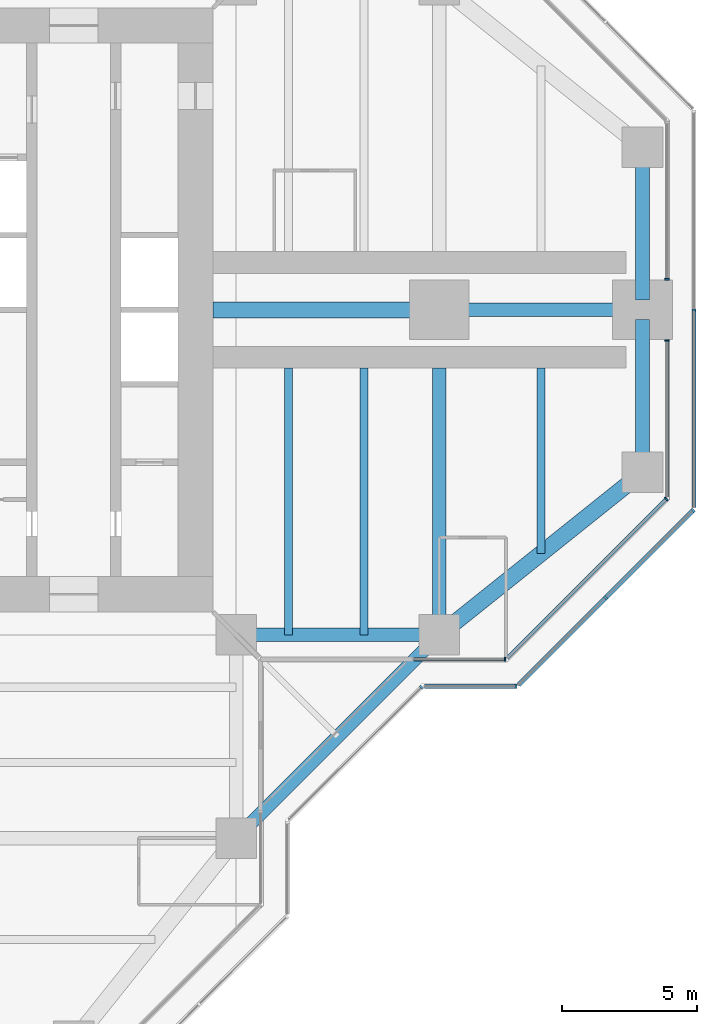
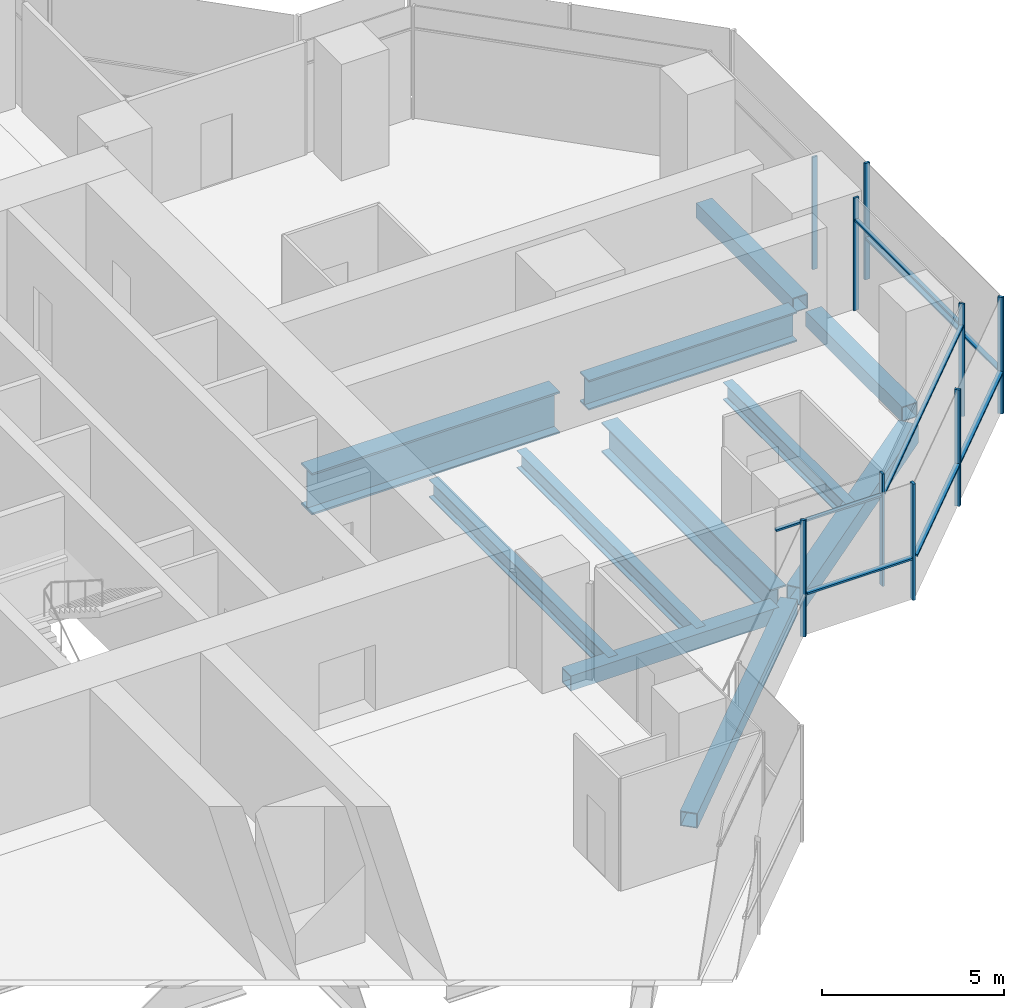
# One storey, part 5 of 17: 16 members, 11 beams, 8 elements without a shape of their own.
"""IFC4 building model written with IfcOpenShell, lengths in metres."""

from ifc_helpers import new_model, si_unit, direction, frame, origin, origin_2d, place, context, subcontext, project, spatial, rectangle, hollow_rectangle, i_section, extrude, material, material_profile, profile_set, type_object, element, aggregate, save


model = new_model("IFC4")

# Units and contexts
model_context = context("Model", 3, precision=1e-05, world=origin(), true_north=direction((0.0, 1.0)))
body_context = subcontext(model_context, "Body", "Model", "MODEL_VIEW")
ifc_project = project(units=[si_unit("LENGTHUNIT", "METRE"), si_unit("AREAUNIT", "SQUARE_METRE"), si_unit("VOLUMEUNIT", "CUBIC_METRE"), si_unit("PLANEANGLEUNIT", "RADIAN"), si_unit("MASSUNIT", "GRAM", prefix="KILO")], contexts=[model_context])

# Site, building, storey
site_placement = place(None, origin())
site = spatial("IfcSite", under=ifc_project, at=site_placement, CompositionType="ELEMENT")
building_placement = place(site_placement, origin())
building = spatial("IfcBuilding", under=site, at=building_placement, Name="Mizan Broadcast Tower", CompositionType="ELEMENT")
storey_placement = place(building_placement, frame((0.0, 0.0, 263.39990234375)))
storey = spatial("IfcBuildingStorey", under=building, at=storey_placement, Name="L62", CompositionType="ELEMENT", Elevation=263.39990234375)

# Beams
ifc_material_1 = material(Name="Steel S355", Category="steel")
ifc_material_profile_1 = material_profile(ifc_material_1, hollow_rectangle(XDim=0.5, YDim=0.5, WallThickness=0.030029296875, at=origin_2d()), Name="BOX 500x500x30")
ifc_profile_set_1 = profile_set([ifc_material_profile_1], Name="Steel S355")
beam_type_1 = type_object("IfcBeamType", Name="EDGE BEAM BOX 500x500x30", PredefinedType="SPANDREL", material=ifc_profile_set_1)
beam_1_placement = place(storey_placement, frame((12.449951171875, -12.0, -0.3798828125), z_axis=(1.0, 0.0, 0.0), x_axis=(0.0, 1.0, 0.0)))
element("IfcBeam", 1, at=beam_1_placement, inside=storey, type_object=beam_type_1, Name="Edge beam BOX 500x500x30 L62 east arm", PredefinedType="SPANDREL", context=body_context, shape_type="SweptSolid", body=[
    extrude(hollow_rectangle(XDim=0.5, YDim=0.5, WallThickness=0.030029296875, at=origin_2d()), origin(), (0.0, 0.0, 1.0), 6.60009765625),
])
for number, where, z_axis, x_axis, name in (
    (2, (27.0, -5.639892578125, -0.3798828125), (0.0, 1.0, 0.0), (-1.0, 0.0, 0.0), "Edge beam BOX 500x500x30 L62 east arm"),
    (3, (27.0, 5.639892578125, -0.3798828125), (0.0, -1.0, 0.0), (1.0, 0.0, 0.0), "Edge beam BOX 500x500x30 L62 east arm"),
):
    element("IfcBeam", number, at=place(storey_placement, frame(where, z_axis=z_axis, x_axis=x_axis)), inside=storey, type_object=beam_type_1, Name=name, PredefinedType="SPANDREL", context=body_context, shape_type="SweptSolid", body=[
        extrude(hollow_rectangle(XDim=0.5, YDim=0.5, WallThickness=0.030029296875, at=origin_2d()), origin(), (0.0, 0.0, 1.0), 5.27978515625),
    ])
beam_2_placement = place(storey_placement, frame((12.0, -19.5, -0.3798828125), z_axis=(0.707106781187, 0.707106781187, 0.0), x_axis=(-0.707106781187, 0.707106781187, 0.0)))
element("IfcBeam", 4, at=beam_2_placement, inside=storey, type_object=beam_type_1, Name="Winter garden edge beam L62 S", PredefinedType="SPANDREL", context=body_context, shape_type="SweptSolid", body=[
    extrude(hollow_rectangle(XDim=0.5, YDim=0.5, WallThickness=0.030029296875, at=origin_2d()), origin(), (0.0, 0.0, 1.0), 10.606689453125),
])
ifc_material_2 = material(Name="Steel S355", Category="steel")
ifc_material_profile_2 = material_profile(ifc_material_2, hollow_rectangle(XDim=0.60009765625, YDim=0.60009765625, WallThickness=0.030029296875, at=origin_2d()), Name="BOX 600x600x30")
ifc_profile_set_2 = profile_set([ifc_material_profile_2], Name="Steel S355")
beam_type_2 = type_object("IfcBeamType", Name="EDGE BEAM BOX 600x600x30", PredefinedType="SPANDREL", material=ifc_profile_set_2)
beam_3_placement = place(storey_placement, frame((19.949951171875, -11.639892578125, -0.429931640625), z_axis=(0.780885717636, 0.624673911726, 0.0), x_axis=(-0.624673911726, 0.780885717636, 0.0)))
element("IfcBeam", 5, at=beam_3_placement, inside=storey, type_object=beam_type_2, Name="Edge beam BOX 600x600x30 L62 east arm", PredefinedType="SPANDREL", context=body_context, shape_type="SweptSolid", body=[
    extrude(hollow_rectangle(XDim=0.60009765625, YDim=0.60009765625, WallThickness=0.030029296875, at=origin_2d()), origin(), (0.0, 0.0, 1.0), 8.4521484375),
])
ifc_material_3 = material(Name="Steel S460", Category="steel")
ifc_material_profile_3 = material_profile(ifc_material_3, i_section(OverallWidth=0.5, OverallDepth=1.0, WebThickness=0.02490234375, FlangeThickness=0.050048828125, at=origin_2d()), Name="WPG 1000x500")
ifc_profile_set_3 = profile_set([ifc_material_profile_3], Name="Steel S460")
beam_type_3 = type_object("IfcBeamType", Name="GIRDER WPG 1000x500", PredefinedType="BEAM", material=ifc_profile_set_3)
beam_4_placement = place(storey_placement, frame((19.949951171875, 0.0, -0.6298828125), z_axis=(1.0, 0.0, 0.0), x_axis=(0.0, 1.0, 0.0)))
element("IfcBeam", 6, at=beam_4_placement, inside=storey, type_object=beam_type_3, Name="Girder WPG 1000x500 L62 east arm", PredefinedType="BEAM", context=body_context, shape_type="SweptSolid", body=[
    extrude(i_section(OverallWidth=0.5, OverallDepth=1.0, WebThickness=0.02490234375, FlangeThickness=0.050048828125, at=origin_2d()), origin(), (0.0, 0.0, 1.0), 6.60009765625),
])
beam_5_placement = place(storey_placement, frame((19.5, -11.408935546875, -0.6298828125), z_axis=(0.0, 1.0, 0.0), x_axis=(-1.0, 0.0, 0.0)))
element("IfcBeam", 7, at=beam_5_placement, inside=storey, type_object=beam_type_3, Name="Girder WPG 1000x500 L62 east arm", PredefinedType="BEAM", context=body_context, shape_type="SweptSolid", body=[
    extrude(i_section(OverallWidth=0.5, OverallDepth=1.0, WebThickness=0.02490234375, FlangeThickness=0.050048828125, at=origin_2d()), origin(), (0.0, 0.0, 1.0), 9.259033203125),
])
ifc_material_4 = material(Name="Steel S460", Category="steel")
ifc_material_profile_4 = material_profile(ifc_material_4, i_section(OverallWidth=0.60009765625, OverallDepth=1.39990234375, WebThickness=0.02490234375, FlangeThickness=0.06005859375, at=origin_2d()), Name="WPG 1400x600")
ifc_profile_set_4 = profile_set([ifc_material_profile_4], Name="Steel S460")
beam_type_4 = type_object("IfcBeamType", Name="GIRDER WPG 1400x600", PredefinedType="BEAM", material=ifc_profile_set_4)
beam_6_placement = place(storey_placement, frame((11.14990234375, 0.0, -0.829833984375), z_axis=(1.0, 0.0, 0.0), x_axis=(0.0, 1.0, 0.0)))
element("IfcBeam", 8, at=beam_6_placement, inside=storey, type_object=beam_type_4, Name="Girder WPG 1400x600 L62 east arm", PredefinedType="BEAM", context=body_context, shape_type="SweptSolid", body=[
    extrude(i_section(OverallWidth=0.60009765625, OverallDepth=1.39990234375, WebThickness=0.02490234375, FlangeThickness=0.06005859375, at=origin_2d()), origin(), (0.0, 0.0, 1.0), 7.84912109375),
])

# Curtain wall, member
ifc_material_5 = material(Name="Aluminium framed glazing", Category="aluminium")
curtain_wall_type_1 = type_object("IfcCurtainWallType", Name="INNER SKIN HIGH ZONE", PredefinedType="USERDEFINED", material=ifc_material_5)
curtain_wall_1_placement = place(storey_placement, origin())
curtain_wall_1 = element("IfcCurtainWall", 9, at=curtain_wall_1_placement, inside=storey, type_object=curtain_wall_type_1, Name="Inner skin high zone L62 E side", ObjectType="INNER SKIN HIGH ZONE", PredefinedType="USERDEFINED")
ifc_material_6 = material(Name="Aluminium, pale anodised", Category="aluminium")
ifc_material_profile_5 = material_profile(ifc_material_6, rectangle(XDim=0.159912109375, YDim=0.06005859375, at=origin_2d()), Name="MULLION 160x60")
ifc_profile_set_5 = profile_set([ifc_material_profile_5], Name="Aluminium, pale anodised")
member_type_1 = type_object("IfcMemberType", Name="INNER SKIN MULLION 60x160", PredefinedType="MULLION", material=ifc_profile_set_5)
member_1_placement = place(storey_placement, frame((21.928466796875, -12.89990234375, 0.0), z_axis=(0.0, 0.0, 1.0), x_axis=(0.0, 1.0, 0.0)))
member_1 = element("IfcMember", 10, at=member_1_placement, type_object=member_type_1, Name="Inner skin high zone L62 E side mullion 2", PredefinedType="MULLION", context=body_context, shape_type="SweptSolid", body=[
    extrude(rectangle(XDim=0.159912109375, YDim=0.06005859375, at=origin_2d()), origin(), (0.0, 0.0, 1.0), 3.77001953125),
])

curtain_wall_2_placement = place(storey_placement, origin())
curtain_wall_2 = element("IfcCurtainWall", 11, at=curtain_wall_2_placement, inside=storey, type_object=curtain_wall_type_1, Name="Inner skin high zone L62 E chamfer", ObjectType="INNER SKIN HIGH ZONE", PredefinedType="USERDEFINED")
member_2_placement = place(storey_placement, frame((27.87890625, -6.979736328125, 0.0), z_axis=(0.0, 0.0, 1.0), x_axis=(-0.707106781187, 0.707106781187, 0.0)))
member_2 = element("IfcMember", 12, at=member_2_placement, type_object=member_type_1, Name="Inner skin high zone L62 E chamfer mullion 2", PredefinedType="MULLION", context=body_context, shape_type="SweptSolid", body=[
    extrude(rectangle(XDim=0.159912109375, YDim=0.06005859375, at=origin_2d()), origin(), (0.0, 0.0, 1.0), 3.77001953125),
])

curtain_wall_3_placement = place(storey_placement, origin())
curtain_wall_3 = element("IfcCurtainWall", 13, at=curtain_wall_3_placement, inside=storey, type_object=curtain_wall_type_1, Name="Inner skin high zone L62 E end", ObjectType="INNER SKIN HIGH ZONE", PredefinedType="USERDEFINED")
member_3_placement = place(storey_placement, frame((27.89990234375, -1.1298828125, 0.0), z_axis=(0.0, 0.0, 1.0), x_axis=(-1.0, 0.0, 0.0)))
member_3 = element("IfcMember", 14, at=member_3_placement, type_object=member_type_1, Name="Inner skin high zone L62 E end mullion 2", PredefinedType="MULLION", context=body_context, shape_type="SweptSolid", body=[
    extrude(rectangle(XDim=0.159912109375, YDim=0.06005859375, at=origin_2d()), origin(), (0.0, 0.0, 1.0), 3.77001953125),
])

curtain_wall_4_placement = place(storey_placement, origin())
curtain_wall_4 = element("IfcCurtainWall", 15, at=curtain_wall_4_placement, inside=storey, type_object=curtain_wall_type_1, Name="Inner skin high zone L62 E end", ObjectType="INNER SKIN HIGH ZONE", PredefinedType="USERDEFINED")
member_4_placement = place(storey_placement, frame((27.89990234375, 1.1298828125, 0.0), z_axis=(0.0, 0.0, 1.0), x_axis=(-1.0, 0.0, 0.0)))
member_4 = element("IfcMember", 16, at=member_4_placement, type_object=member_type_1, Name="Inner skin high zone L62 E end mullion 1", PredefinedType="MULLION", context=body_context, shape_type="SweptSolid", body=[
    extrude(rectangle(XDim=0.159912109375, YDim=0.06005859375, at=origin_2d()), origin(), (0.0, 0.0, 1.0), 3.77001953125),
])
aggregate(curtain_wall_4, [member_4])

# Member
ifc_material_7 = material(Name="Aluminium, pale anodised", Category="aluminium")
ifc_material_profile_6 = material_profile(ifc_material_7, rectangle(XDim=0.1201171875, YDim=0.06005859375, at=origin_2d()), Name="TRANSOM 120x60")
ifc_profile_set_6 = profile_set([ifc_material_profile_6], Name="Aluminium, pale anodised")
member_type_2 = type_object("IfcMemberType", Name="INNER SKIN TRANSOM 60x120", PredefinedType="USERDEFINED", material=ifc_profile_set_6)
member_5_placement = place(storey_placement, frame((18.56005859375, -12.89990234375, 3.030029296875), z_axis=(1.0, 0.0, 0.0), x_axis=(0.0, 1.0, 0.0)))
member_5 = element("IfcMember", 17, at=member_5_placement, type_object=member_type_2, Name="Inner skin high zone L62 E side transom 1.1", ObjectType="TRANSOM", PredefinedType="USERDEFINED", context=body_context, shape_type="SweptSolid", body=[
    extrude(rectangle(XDim=0.1201171875, YDim=0.06005859375, at=origin_2d()), origin(), (0.0, 0.0, 1.0), 3.338623046875),
])

aggregate(curtain_wall_1, [member_1, member_5])

member_6_placement = place(storey_placement, frame((22.0009765625, -12.857666015625, 3.030029296875), z_axis=(0.707106781187, 0.707106781187, 0.0), x_axis=(-0.707106781187, 0.707106781187, 0.0)))
member_6 = element("IfcMember", 18, at=member_6_placement, type_object=member_type_2, Name="Inner skin high zone L62 E chamfer transom 1.1", ObjectType="TRANSOM", PredefinedType="USERDEFINED", context=body_context, shape_type="SweptSolid", body=[
    extrude(rectangle(XDim=0.1201171875, YDim=0.06005859375, at=origin_2d()), origin(), (0.0, 0.0, 1.0), 8.28271484375),
])

aggregate(curtain_wall_2, [member_2, member_6])

member_7_placement = place(storey_placement, frame((27.89990234375, -6.898681640625, 3.030029296875), z_axis=(0.0, 1.0, 0.0), x_axis=(-1.0, 0.0, 0.0)))
member_7 = element("IfcMember", 19, at=member_7_placement, type_object=member_type_2, Name="Inner skin high zone L62 E end transom 1.1", ObjectType="TRANSOM", PredefinedType="USERDEFINED", context=body_context, shape_type="SweptSolid", body=[
    extrude(rectangle(XDim=0.1201171875, YDim=0.06005859375, at=origin_2d()), origin(), (0.0, 0.0, 1.0), 5.73876953125),
])

aggregate(curtain_wall_3, [member_3, member_7])

# Curtain wall, members
ifc_material_8 = material(Name="Aluminium framed glazing", Category="aluminium")
curtain_wall_type_2 = type_object("IfcCurtainWallType", Name="OUTER SKIN", PredefinedType="USERDEFINED", material=ifc_material_8)
curtain_wall_5_placement = place(storey_placement, origin())
curtain_wall_5 = element("IfcCurtainWall", 20, at=curtain_wall_5_placement, inside=storey, type_object=curtain_wall_type_2, Name="Outer skin L62 E chamfer", ObjectType="OUTER SKIN", PredefinedType="USERDEFINED")
ifc_material_9 = material(Name="Aluminium, pale anodised", Category="aluminium")
ifc_material_profile_7 = material_profile(ifc_material_9, rectangle(XDim=0.159912109375, YDim=0.080078125, at=origin_2d()), Name="MULLION 160x80")
ifc_profile_set_7 = profile_set([ifc_material_profile_7], Name="Aluminium, pale anodised")
member_type_3 = type_object("IfcMemberType", Name="OUTER SKIN MULLION 80x160", PredefinedType="MULLION", material=ifc_profile_set_7)
member_8_placement = place(storey_placement, frame((25.636474609375, -10.636474609375, 0.0), z_axis=(0.0, 0.0, 1.0), x_axis=(-0.707106781187, 0.707106781187, 0.0)))
member_8 = element("IfcMember", 21, at=member_8_placement, type_object=member_type_3, Name="Outer skin L62 E chamfer mullion 2", PredefinedType="MULLION", context=body_context, shape_type="SweptSolid", body=[
    extrude(rectangle(XDim=0.159912109375, YDim=0.080078125, at=origin_2d()), origin(), (0.0, 0.0, 1.0), 3.900146484375),
])
member_9_placement = place(storey_placement, frame((28.871826171875, -7.401123046875, 0.0), z_axis=(0.0, 0.0, 1.0), x_axis=(-0.707106781187, 0.707106781187, 0.0)))
member_9 = element("IfcMember", 22, at=member_9_placement, type_object=member_type_3, Name="Outer skin L62 E chamfer mullion 3", PredefinedType="MULLION", context=body_context, shape_type="SweptSolid", body=[
    extrude(rectangle(XDim=0.159912109375, YDim=0.080078125, at=origin_2d()), origin(), (0.0, 0.0, 1.0), 3.900146484375),
])

# Curtain wall, member
curtain_wall_6_placement = place(storey_placement, origin())
curtain_wall_6 = element("IfcCurtainWall", 23, at=curtain_wall_6_placement, inside=storey, type_object=curtain_wall_type_2, Name="Outer skin L62 E end", ObjectType="OUTER SKIN", PredefinedType="USERDEFINED")
member_10_placement = place(storey_placement, frame((28.89990234375, 0.0, 0.0), z_axis=(0.0, 0.0, 1.0), x_axis=(-1.0, 0.0, 0.0)))
member_10 = element("IfcMember", 24, at=member_10_placement, type_object=member_type_3, Name="Outer skin L62 E end mullion 2", PredefinedType="MULLION", context=body_context, shape_type="SweptSolid", body=[
    extrude(rectangle(XDim=0.159912109375, YDim=0.080078125, at=origin_2d()), origin(), (0.0, 0.0, 1.0), 3.900146484375),
])

curtain_wall_7_placement = place(storey_placement, origin())
curtain_wall_7 = element("IfcCurtainWall", 25, at=curtain_wall_7_placement, inside=storey, type_object=curtain_wall_type_2, Name="Outer skin L62 E chamfer", ObjectType="OUTER SKIN", PredefinedType="USERDEFINED")
member_11_placement = place(storey_placement, frame((18.844482421875, -13.92822265625, 0.0), z_axis=(0.0, 0.0, 1.0), x_axis=(-0.707106781187, 0.707106781187, 0.0)))
member_11 = element("IfcMember", 26, at=member_11_placement, type_object=member_type_3, Name="Outer skin L62 E chamfer mullion 2", PredefinedType="MULLION", context=body_context, shape_type="SweptSolid", body=[
    extrude(rectangle(XDim=0.159912109375, YDim=0.080078125, at=origin_2d()), origin(), (0.0, 0.0, 1.0), 3.900146484375),
])
aggregate(curtain_wall_7, [member_11])

curtain_wall_8_placement = place(storey_placement, origin())
curtain_wall_8 = element("IfcCurtainWall", 27, at=curtain_wall_8_placement, inside=storey, type_object=curtain_wall_type_2, Name="Outer skin L62 E side", ObjectType="OUTER SKIN", PredefinedType="USERDEFINED")
member_12_placement = place(storey_placement, frame((22.332763671875, -13.89990234375, 0.0), z_axis=(0.0, 0.0, 1.0), x_axis=(0.0, 1.0, 0.0)))
member_12 = element("IfcMember", 28, at=member_12_placement, type_object=member_type_3, Name="Outer skin L62 E side mullion 2", PredefinedType="MULLION", context=body_context, shape_type="SweptSolid", body=[
    extrude(rectangle(XDim=0.159912109375, YDim=0.080078125, at=origin_2d()), origin(), (0.0, 0.0, 1.0), 3.900146484375),
])

# Member
ifc_material_10 = material(Name="Aluminium, pale anodised", Category="aluminium")
ifc_material_profile_8 = material_profile(ifc_material_10, rectangle(XDim=0.159912109375, YDim=0.06005859375, at=origin_2d()), Name="TRANSOM 160x60")
ifc_profile_set_8 = profile_set([ifc_material_profile_8], Name="Aluminium, pale anodised")
member_type_4 = type_object("IfcMemberType", Name="OUTER SKIN TRANSOM 60x160", PredefinedType="USERDEFINED", material=ifc_profile_set_8)
member_13_placement = place(storey_placement, frame((22.429443359375, -13.843505859375, 1.400146484375), z_axis=(0.707106781187, 0.707106781187, 0.0), x_axis=(-0.707106781187, 0.707106781187, 0.0)))
member_13 = element("IfcMember", 29, at=member_13_placement, type_object=member_type_4, Name="Outer skin L62 E chamfer transom 1.1", ObjectType="TRANSOM", PredefinedType="USERDEFINED", context=body_context, shape_type="SweptSolid", body=[
    extrude(rectangle(XDim=0.159912109375, YDim=0.06005859375, at=origin_2d()), origin(), (0.0, 0.0, 1.0), 4.495361328125),
])

member_14_placement = place(storey_placement, frame((25.664794921875, -10.608154296875, 1.400146484375), z_axis=(0.707106781187, 0.707106781187, 0.0), x_axis=(-0.707106781187, 0.707106781187, 0.0)))
member_14 = element("IfcMember", 30, at=member_14_placement, type_object=member_type_4, Name="Outer skin L62 E chamfer transom 2.1", ObjectType="TRANSOM", PredefinedType="USERDEFINED", context=body_context, shape_type="SweptSolid", body=[
    extrude(rectangle(XDim=0.159912109375, YDim=0.06005859375, at=origin_2d()), origin(), (0.0, 0.0, 1.0), 4.495361328125),
])

aggregate(curtain_wall_5, [member_8, member_9, member_13, member_14])

member_15_placement = place(storey_placement, frame((28.89990234375, -7.292724609375, 1.400146484375), z_axis=(0.0, 1.0, 0.0), x_axis=(-1.0, 0.0, 0.0)))
member_15 = element("IfcMember", 31, at=member_15_placement, type_object=member_type_4, Name="Outer skin L62 E end transom 1.1", ObjectType="TRANSOM", PredefinedType="USERDEFINED", context=body_context, shape_type="SweptSolid", body=[
    extrude(rectangle(XDim=0.159912109375, YDim=0.06005859375, at=origin_2d()), origin(), (0.0, 0.0, 1.0), 7.252685546875),
])

aggregate(curtain_wall_6, [member_10, member_15])

member_16_placement = place(storey_placement, frame((18.952880859375, -13.89990234375, 1.400146484375), z_axis=(1.0, 0.0, 0.0), x_axis=(0.0, 1.0, 0.0)))
member_16 = element("IfcMember", 32, at=member_16_placement, type_object=member_type_4, Name="Outer skin L62 E side transom 1.1", ObjectType="TRANSOM", PredefinedType="USERDEFINED", context=body_context, shape_type="SweptSolid", body=[
    extrude(rectangle(XDim=0.159912109375, YDim=0.06005859375, at=origin_2d()), origin(), (0.0, 0.0, 1.0), 3.33984375),
])

aggregate(curtain_wall_8, [member_12, member_16])

# Beams
ifc_material_11 = material(Name="Steel S355", Category="steel")
ifc_material_profile_9 = material_profile(ifc_material_11, i_section(OverallWidth=0.300048828125, OverallDepth=0.590087890625, WebThickness=0.012939453125, FlangeThickness=0.02490234375, FilletRadius=0.027099609375, at=origin_2d()), Name="HEA 600")
ifc_profile_set_9 = profile_set([ifc_material_profile_9], Name="Steel S355")
beam_type_5 = type_object("IfcBeamType", Name="SECONDARY BEAM HEA 600", PredefinedType="JOIST", material=ifc_profile_set_9)
for number, where, z_axis, x_axis, name in (
    (33, (13.933349609375, -12.0, -0.4248046875), (0.0, 1.0, 0.0), (-1.0, 0.0, 0.0), "Secondary beam HEA 600 L62 east arm"),
    (34, (16.716552734375, -12.0, -0.4248046875), (0.0, 1.0, 0.0), (-1.0, 0.0, 0.0), "Secondary beam HEA 600 L62 east arm"),
):
    element("IfcBeam", number, at=place(storey_placement, frame(where, z_axis=z_axis, x_axis=x_axis)), inside=storey, type_object=beam_type_5, Name=name, PredefinedType="JOIST", context=body_context, shape_type="SweptSolid", body=[
        extrude(i_section(OverallWidth=0.300048828125, OverallDepth=0.590087890625, WebThickness=0.012939453125, FlangeThickness=0.02490234375, FilletRadius=0.027099609375, at=origin_2d()), origin(), (0.0, 0.0, 1.0), 9.85009765625),
    ])
beam_7_placement = place(storey_placement, frame((23.25, -9.0, -0.4248046875), z_axis=(0.0, 1.0, 0.0), x_axis=(-1.0, 0.0, 0.0)))
element("IfcBeam", 35, at=beam_7_placement, inside=storey, type_object=beam_type_5, Name="Secondary beam HEA 600 L62 east arm", PredefinedType="JOIST", context=body_context, shape_type="SweptSolid", body=[
    extrude(i_section(OverallWidth=0.300048828125, OverallDepth=0.590087890625, WebThickness=0.012939453125, FlangeThickness=0.02490234375, FilletRadius=0.027099609375, at=origin_2d()), origin(), (0.0, 0.0, 1.0), 6.85009765625),
])

save(model, "model.ifc")
